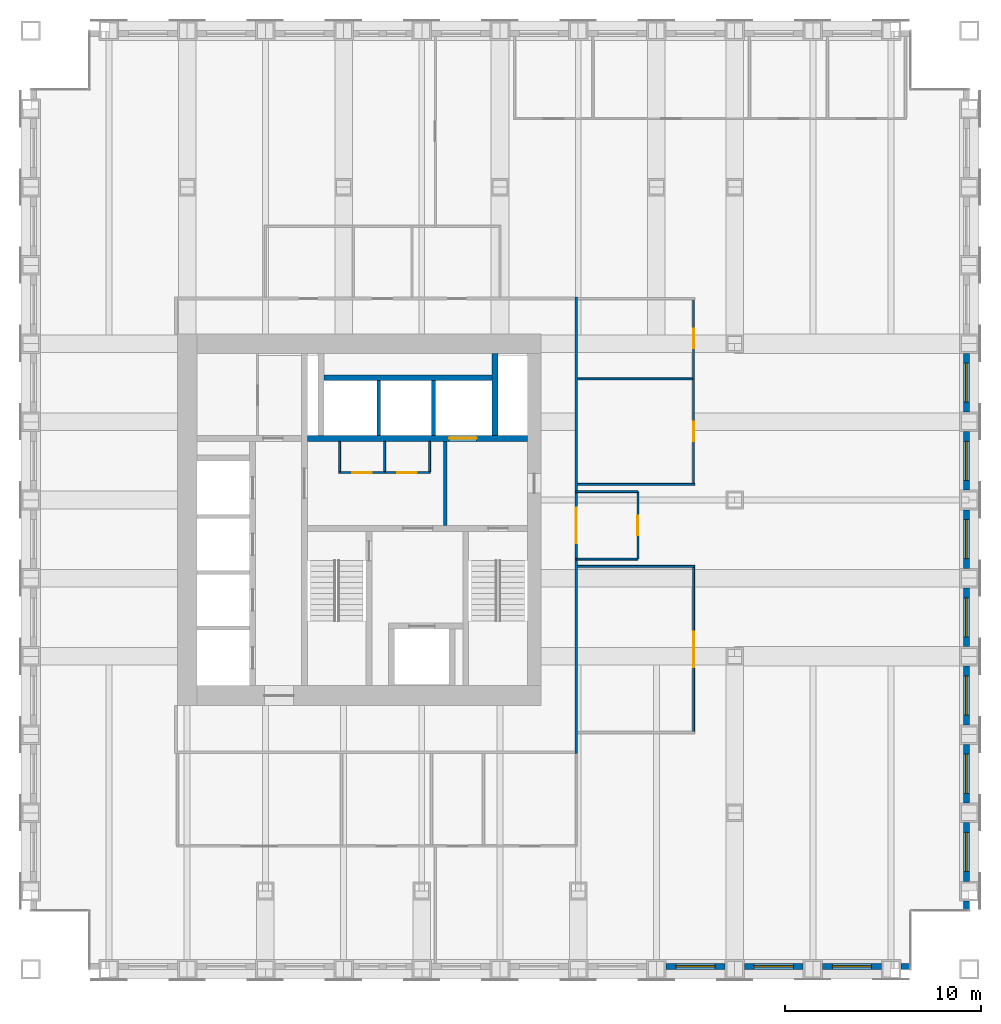
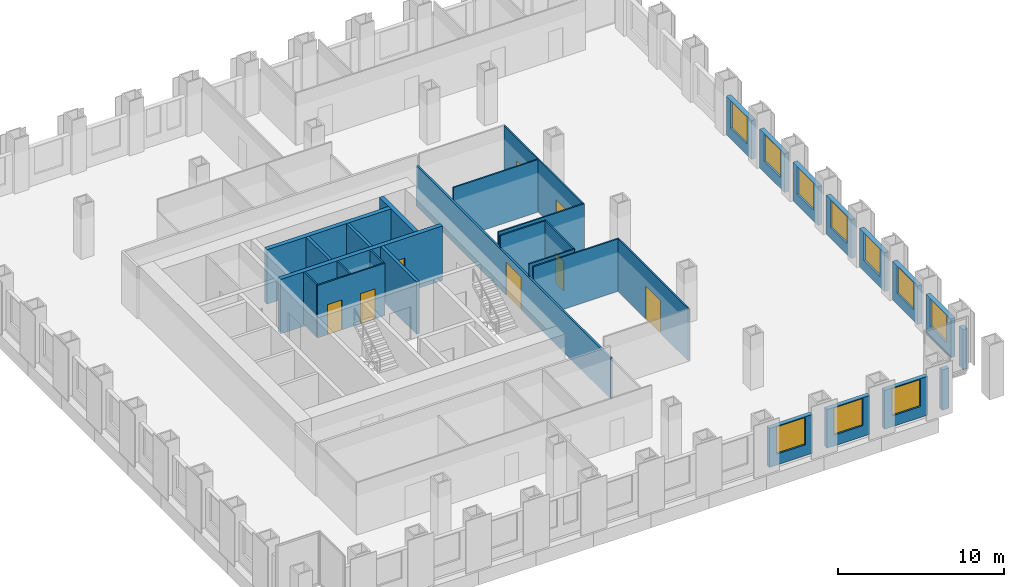
# One storey, part 12 of 15: 31 walls, 10 windows, 8 doors, 18 openings.
"""IFC4 building model written with IfcOpenShell, lengths in metres."""

from ifc_helpers import new_model, si_unit, direction, frame, frame_2d, origin, place, context, subcontext, project, spatial, rectangle, extrude, material, layer, layer_set, type_object, element, fill, save


model = new_model("IFC4")

# Units and contexts
model_context = context("Model", 3, precision=1e-05, world=origin(), true_north=direction((0.0, 1.0)))
body_context = subcontext(model_context, "Body", "Model", "MODEL_VIEW")
ifc_project = project(units=[si_unit("LENGTHUNIT", "METRE"), si_unit("AREAUNIT", "SQUARE_METRE"), si_unit("VOLUMEUNIT", "CUBIC_METRE"), si_unit("PLANEANGLEUNIT", "RADIAN"), si_unit("MASSUNIT", "GRAM", prefix="KILO")], contexts=[model_context])

# Site, building, storey
site_placement = place(None, origin())
site = spatial("IfcSite", under=ifc_project, at=site_placement, CompositionType="ELEMENT")
building_placement = place(site_placement, origin())
building = spatial("IfcBuilding", under=site, at=building_placement, Name="Rimbunsela Tower", CompositionType="ELEMENT")
storey_placement = place(building_placement, frame((0.0, 0.0, 117.39990234375)))
storey = spatial("IfcBuildingStorey", under=building, at=storey_placement, Name="L28", CompositionType="ELEMENT", Elevation=117.39990234375)

# Wall, opening, door
ifc_material_1 = material(Name="Concrete fc' 80 MPa", Category="concrete")
ifc_layer_1 = layer(ifc_material_1, 0.300048828125)
ifc_layer_set_1 = layer_set([ifc_layer_1], Name="Core internal wall 300")
wall_type_1 = type_object("IfcWallType", Name="Core internal wall 300", PredefinedType="SHEAR", material=ifc_layer_set_1)
wall_1_placement = place(storey_placement, frame((24.14990234375, 31.14990234375, -0.14990234375), z_axis=(0.0, 0.0, 1.0), x_axis=(1.0, 0.0, 0.0)))
wall_1 = element("IfcWall", 1, at=wall_1_placement, inside=storey, type_object=wall_type_1, Name="Lift shaft front north", PredefinedType="SHEAR", context=body_context, shape_type="SweptSolid", body=[
    extrude(rectangle(XDim=11.25, YDim=0.300048828125, at=frame_2d((5.625, 0.0))), origin(), (0.0, 0.0, 1.0), 4.0),
])
opening_1_placement = place(wall_1_placement, frame((7.25, 0.0, 0.14990234375)))
opening_1 = element("IfcOpeningElement", 2, at=opening_1_placement, cuts=wall_1, Name="Opening LD3", PredefinedType="OPENING", context=body_context, shape_type="SweptSolid", body=[
    extrude(rectangle(XDim=1.39990234375, YDim=2.39990234375, at=frame_2d((0.699951171875, 1.199951171875))), frame((0.0, 0.159912109375, 0.0), z_axis=(0.0, -1.0, 0.0), x_axis=(1.0, 0.0, 0.0)), (0.0, 0.0, 1.0), 0.320068359375),
])
ifc_material_2 = material(Name="Steel door, fire rated", Category="steel")
door_type_1 = type_object("IfcDoorType", Name="Lift landing door 1400", OperationType="DOUBLE_DOOR_SLIDING", PredefinedType="DOOR", material=ifc_material_2)
door_1_placement = place(opening_1_placement, origin())
door_1 = element("IfcDoor", 3, at=door_1_placement, inside=storey, type_object=door_type_1, Name="Lift landing door FL2", OperationType="DOUBLE_DOOR_SLIDING", OverallHeight=2.39990234375, OverallWidth=1.39990234375, PredefinedType="DOOR", context=body_context, shape_type="SweptSolid", body=[
    extrude(rectangle(XDim=1.39990234375, YDim=2.39990234375, at=frame_2d((0.699951171875, 1.199951171875))), frame((0.0, 0.02490234375, 0.0), z_axis=(0.0, -1.0, 0.0), x_axis=(1.0, 0.0, 0.0)), (0.0, 0.0, 1.0), 0.050048828125),
])
fill(opening_1, door_1)

# Walls
wall_2_placement = place(storey_placement, frame((33.75, 31.300048828125, -0.14990234375), z_axis=(0.0, 0.0, 1.0), x_axis=(0.0, 1.0, 0.0)))
element("IfcWall", 4, at=wall_2_placement, inside=storey, type_object=wall_type_1, Name="Riser wall", PredefinedType="SHEAR", context=body_context, shape_type="SweptSolid", body=[
    extrude(rectangle(XDim=4.199951171875, YDim=0.300048828125, at=frame_2d((2.10009765625, 0.0))), origin(), (0.0, 0.0, 1.0), 4.0),
])
wall_3_placement = place(storey_placement, frame((25.0, 34.25, -0.14990234375), z_axis=(0.0, 0.0, 1.0), x_axis=(1.0, 0.0, 0.0)))
element("IfcWall", 5, at=wall_3_placement, inside=storey, type_object=wall_type_1, Name="Lift shaft rear north", PredefinedType="SHEAR", context=body_context, shape_type="SweptSolid", body=[
    extrude(rectangle(XDim=8.60009765625, YDim=0.300048828125, at=frame_2d((4.300048828125, 0.0))), origin(), (0.0, 0.0, 1.0), 4.0),
])

# Wall, openings, doors
ifc_material_3 = material(Name="Concrete blockwork", Category="masonry")
ifc_layer_2 = layer(ifc_material_3, 0.10009765625)
ifc_layer_set_2 = layer_set([ifc_layer_2], Name="Core room partition 100")
wall_type_2 = type_object("IfcWallType", Name="Core room partition 100", PredefinedType="PARTITIONING", material=ifc_layer_set_2)
wall_4_placement = place(storey_placement, frame((25.75, 29.39990234375, 0.0), z_axis=(0.0, 0.0, 1.0), x_axis=(1.0, 0.0, 0.0)))
wall_4 = element("IfcWall", 6, at=wall_4_placement, inside=storey, type_object=wall_type_2, Name="Lobby room wall", PredefinedType="PARTITIONING", context=body_context, shape_type="SweptSolid", body=[
    extrude(rectangle(XDim=4.699951171875, YDim=0.10009765625, at=frame_2d((2.35009765625, 0.0))), origin(), (0.0, 0.0, 1.0), 3.85009765625),
])
opening_2_placement = place(wall_4_placement, frame((0.699951171875, 0.0, 0.0)))
opening_2 = element("IfcOpeningElement", 7, at=opening_2_placement, cuts=wall_4, Name="Opening D19", PredefinedType="OPENING", context=body_context, shape_type="SweptSolid", body=[
    extrude(rectangle(XDim=1.0, YDim=2.199951171875, at=frame_2d((0.5, 1.10009765625))), frame((0.0, 0.06005859375, 0.0), z_axis=(0.0, -1.0, 0.0), x_axis=(1.0, 0.0, 0.0)), (0.0, 0.0, 1.0), 0.1201171875),
])
opening_3_placement = place(wall_4_placement, frame((3.0, 0.0, 0.0)))
opening_3 = element("IfcOpeningElement", 8, at=opening_3_placement, cuts=wall_4, Name="Opening D19", PredefinedType="OPENING", context=body_context, shape_type="SweptSolid", body=[
    extrude(rectangle(XDim=1.0, YDim=2.199951171875, at=frame_2d((0.5, 1.10009765625))), frame((0.0, 0.06005859375, 0.0), z_axis=(0.0, -1.0, 0.0), x_axis=(1.0, 0.0, 0.0)), (0.0, 0.0, 1.0), 0.1201171875),
])
ifc_material_4 = material(Name="Steel door, fire rated", Category="steel")
door_type_2 = type_object("IfcDoorType", Name="Service door 1000 fire rated", OperationType="SINGLE_SWING_LEFT", PredefinedType="DOOR", material=ifc_material_4)
door_2_placement = place(opening_2_placement, origin())
door_2 = element("IfcDoor", 9, at=door_2_placement, inside=storey, type_object=door_type_2, Name="Facilities store door", OperationType="SINGLE_SWING_LEFT", OverallHeight=2.199951171875, OverallWidth=1.0, PredefinedType="DOOR", context=body_context, shape_type="SweptSolid", body=[
    extrude(rectangle(XDim=1.0, YDim=2.199951171875, at=frame_2d((0.5, 1.10009765625))), frame((0.0, 0.02490234375, 0.0), z_axis=(0.0, -1.0, 0.0), x_axis=(1.0, 0.0, 0.0)), (0.0, 0.0, 1.0), 0.050048828125),
])
fill(opening_2, door_2)
door_3_placement = place(opening_3_placement, origin())
door_3 = element("IfcDoor", 10, at=door_3_placement, inside=storey, type_object=door_type_2, Name="IT room door", OperationType="SINGLE_SWING_LEFT", OverallHeight=2.199951171875, OverallWidth=1.0, PredefinedType="DOOR", context=body_context, shape_type="SweptSolid", body=[
    extrude(rectangle(XDim=1.0, YDim=2.199951171875, at=frame_2d((0.5, 1.10009765625))), frame((0.0, 0.02490234375, 0.0), z_axis=(0.0, -1.0, 0.0), x_axis=(1.0, 0.0, 0.0)), (0.0, 0.0, 1.0), 0.050048828125),
])
fill(opening_3, door_3)

# Walls
for number, where, z_axis, x_axis, name in (
    (11, (25.800048828125, 29.449951171875, 0.0), (0.0, 0.0, 1.0), (0.0, 1.0, 0.0), "Lobby room wall"),
    (12, (30.39990234375, 29.449951171875, 0.0), (0.0, 0.0, 1.0), (0.0, 1.0, 0.0), "Lobby room wall"),
    (13, (28.10009765625, 29.449951171875, 0.0), (0.0, 0.0, 1.0), (0.0, 1.0, 0.0), "Lobby room wall"),
):
    element("IfcWall", number, at=place(storey_placement, frame(where, z_axis=z_axis, x_axis=x_axis)), inside=storey, type_object=wall_type_2, Name=name, PredefinedType="PARTITIONING", context=body_context, shape_type="SweptSolid", body=[
        extrude(rectangle(XDim=1.550048828125, YDim=0.10009765625, at=frame_2d((0.77490234375, 0.0))), origin(), (0.0, 0.0, 1.0), 3.85009765625),
    ])
ifc_material_5 = material(Name="Concrete blockwork", Category="masonry")
ifc_layer_3 = layer(ifc_material_5, 0.199951171875)
ifc_layer_set_3 = layer_set([ifc_layer_3], Name="Lift shaft wall 200")
wall_type_3 = type_object("IfcWallType", Name="Lift shaft wall 200", PredefinedType="SOLIDWALL", material=ifc_layer_set_3)
for number, where, z_axis, x_axis, name in (
    (14, (27.800048828125, 31.300048828125, -0.14990234375), (0.0, 0.0, 1.0), (0.0, 1.0, 0.0), "Lift shaft separation"),
    (15, (30.60009765625, 31.300048828125, -0.14990234375), (0.0, 0.0, 1.0), (0.0, 1.0, 0.0), "Lift shaft separation"),
):
    element("IfcWall", number, at=place(storey_placement, frame(where, z_axis=z_axis, x_axis=x_axis)), inside=storey, type_object=wall_type_3, Name=name, PredefinedType="SOLIDWALL", context=body_context, shape_type="SweptSolid", body=[
        extrude(rectangle(XDim=2.800048828125, YDim=0.199951171875, at=frame_2d((1.39990234375, 0.0))), origin(), (0.0, 0.0, 1.0), 4.0),
    ])
wall_5_placement = place(storey_placement, frame((31.199951171875, 26.699951171875, 0.0), z_axis=(0.0, 0.0, 1.0), x_axis=(0.0, 1.0, 0.0)))
element("IfcWall", 16, at=wall_5_placement, inside=storey, type_object=wall_type_3, Name="Firefighting lobby 2 wall", PredefinedType="SOLIDWALL", context=body_context, shape_type="SweptSolid", body=[
    extrude(rectangle(XDim=4.300048828125, YDim=0.199951171875, at=frame_2d((2.14990234375, 0.0))), origin(), (0.0, 0.0, 1.0), 3.85009765625),
])
ifc_material_6 = material(Name="Gypsum board on steel studs", Category="steel")
ifc_layer_4 = layer(ifc_material_6, 0.10009765625)
ifc_layer_set_4 = layer_set([ifc_layer_4], Name="Office partition 100")
wall_type_4 = type_object("IfcWallType", Name="Office partition 100", PredefinedType="PARTITIONING", material=ifc_layer_set_4)
for number, where, z_axis, x_axis, name in (
    (17, (37.97509765625, 24.60009765625, 0.0), (0.0, 0.0, 1.0), (1.0, 0.0, 0.0), "Office partition"),
    (18, (37.97509765625, 28.800048828125, 0.0), (0.0, 0.0, 1.0), (1.0, 0.0, 0.0), "Office partition"),
):
    element("IfcWall", number, at=place(storey_placement, frame(where, z_axis=z_axis, x_axis=x_axis)), inside=storey, type_object=wall_type_4, Name=name, PredefinedType="PARTITIONING", context=body_context, shape_type="SweptSolid", body=[
        extrude(rectangle(XDim=5.974853515625, YDim=0.10009765625, at=frame_2d((2.9873046875, 0.0))), origin(), (0.0, 0.0, 1.0), 3.85009765625),
    ])
wall_6_placement = place(storey_placement, frame((37.97509765625, 34.199951171875, 0.0), z_axis=(0.0, 0.0, 1.0), x_axis=(1.0, 0.0, 0.0)))
element("IfcWall", 19, at=wall_6_placement, inside=storey, type_object=wall_type_4, Name="Office partition", PredefinedType="PARTITIONING", context=body_context, shape_type="SweptSolid", body=[
    extrude(rectangle(XDim=5.875, YDim=0.10009765625, at=frame_2d((2.9375, 0.0))), origin(), (0.0, 0.0, 1.0), 3.85009765625),
])

# Wall, opening, door
wall_7_placement = place(storey_placement, frame((43.89990234375, 16.14990234375, 0.0), z_axis=(0.0, 0.0, 1.0), x_axis=(0.0, 1.0, 0.0)))
wall_7 = element("IfcWall", 20, at=wall_7_placement, inside=storey, type_object=wall_type_4, Name="Office partition", PredefinedType="PARTITIONING", context=body_context, shape_type="SweptSolid", body=[
    extrude(rectangle(XDim=8.400146484375, YDim=0.10009765625, at=frame_2d((4.2001953125, 0.0))), origin(), (0.0, 0.0, 1.0), 3.85009765625),
])
opening_4_placement = place(wall_7_placement, frame((3.300048828125, 0.0, 0.0)))
opening_4 = element("IfcOpeningElement", 21, at=opening_4_placement, cuts=wall_7, Name="Opening D18", PredefinedType="OPENING", context=body_context, shape_type="SweptSolid", body=[
    extrude(rectangle(XDim=1.800048828125, YDim=2.39990234375, at=frame_2d((0.89990234375, 1.199951171875))), frame((0.0, 0.06005859375, 0.0), z_axis=(0.0, -1.0, 0.0), x_axis=(1.0, 0.0, 0.0)), (0.0, 0.0, 1.0), 0.1201171875),
])
ifc_material_7 = material(Name="Glazed aluminium door", Category="aluminium")
door_type_3 = type_object("IfcDoorType", Name="Boardroom door 1800 glazed", OperationType="DOUBLE_DOOR_DOUBLE_SWING", PredefinedType="DOOR", material=ifc_material_7)
door_4_placement = place(opening_4_placement, origin())
door_4 = element("IfcDoor", 22, at=door_4_placement, inside=storey, type_object=door_type_3, Name="Boardroom door", OperationType="DOUBLE_DOOR_DOUBLE_SWING", OverallHeight=2.39990234375, OverallWidth=1.800048828125, PredefinedType="DOOR", context=body_context, shape_type="SweptSolid", body=[
    extrude(rectangle(XDim=1.800048828125, YDim=2.39990234375, at=frame_2d((0.89990234375, 1.199951171875))), frame((0.0, 0.02490234375, 0.0), z_axis=(0.0, -1.0, 0.0), x_axis=(1.0, 0.0, 0.0)), (0.0, 0.0, 1.0), 0.050048828125),
])
fill(opening_4, door_4)

# Wall, openings, doors
wall_8_placement = place(storey_placement, frame((43.89990234375, 28.85009765625, 0.0), z_axis=(0.0, 0.0, 1.0), x_axis=(0.0, 1.0, 0.0)))
wall_8 = element("IfcWall", 23, at=wall_8_placement, inside=storey, type_object=wall_type_4, Name="Office partition", PredefinedType="PARTITIONING", context=body_context, shape_type="SweptSolid", body=[
    extrude(rectangle(XDim=9.39990234375, YDim=0.10009765625, at=frame_2d((4.699951171875, 0.0))), origin(), (0.0, 0.0, 1.0), 3.85009765625),
])
opening_5_placement = place(wall_8_placement, frame((2.14990234375, 0.0, 0.0)))
opening_5 = element("IfcOpeningElement", 24, at=opening_5_placement, cuts=wall_8, Name="Opening D17", PredefinedType="OPENING", context=body_context, shape_type="SweptSolid", body=[
    extrude(rectangle(XDim=1.0, YDim=2.199951171875, at=frame_2d((0.5, 1.10009765625))), frame((0.0, 0.06005859375, 0.0), z_axis=(0.0, -1.0, 0.0), x_axis=(1.0, 0.0, 0.0)), (0.0, 0.0, 1.0), 0.1201171875),
])
opening_6_placement = place(wall_8_placement, frame((6.89990234375, 0.0, 0.0)))
opening_6 = element("IfcOpeningElement", 25, at=opening_6_placement, cuts=wall_8, Name="Opening D16", PredefinedType="OPENING", context=body_context, shape_type="SweptSolid", body=[
    extrude(rectangle(XDim=1.0, YDim=2.199951171875, at=frame_2d((0.5, 1.10009765625))), frame((0.0, 0.06005859375, 0.0), z_axis=(0.0, -1.0, 0.0), x_axis=(1.0, 0.0, 0.0)), (0.0, 0.0, 1.0), 0.1201171875),
])
ifc_material_8 = material(Name="Glazed aluminium door", Category="aluminium")
door_type_4 = type_object("IfcDoorType", Name="Meeting room door 1000 glazed", OperationType="SINGLE_SWING_RIGHT", PredefinedType="DOOR", material=ifc_material_8)
door_5_placement = place(opening_5_placement, origin())
door_5 = element("IfcDoor", 26, at=door_5_placement, inside=storey, type_object=door_type_4, Name="Meeting room door", OperationType="SINGLE_SWING_RIGHT", OverallHeight=2.199951171875, OverallWidth=1.0, PredefinedType="DOOR", context=body_context, shape_type="SweptSolid", body=[
    extrude(rectangle(XDim=1.0, YDim=2.199951171875, at=frame_2d((0.5, 1.10009765625))), frame((0.0, 0.02490234375, 0.0), z_axis=(0.0, -1.0, 0.0), x_axis=(1.0, 0.0, 0.0)), (0.0, 0.0, 1.0), 0.050048828125),
])
fill(opening_5, door_5)
ifc_material_9 = material(Name="Timber door", Category="wood")
door_type_5 = type_object("IfcDoorType", Name="Office door 1000", OperationType="SINGLE_SWING_LEFT", PredefinedType="DOOR", material=ifc_material_9)
door_6_placement = place(opening_6_placement, origin())
door_6 = element("IfcDoor", 27, at=door_6_placement, inside=storey, type_object=door_type_5, Name="Office door", OperationType="SINGLE_SWING_LEFT", OverallHeight=2.199951171875, OverallWidth=1.0, PredefinedType="DOOR", context=body_context, shape_type="SweptSolid", body=[
    extrude(rectangle(XDim=1.0, YDim=2.199951171875, at=frame_2d((0.5, 1.10009765625))), frame((0.0, 0.02490234375, 0.0), z_axis=(0.0, -1.0, 0.0), x_axis=(1.0, 0.0, 0.0)), (0.0, 0.0, 1.0), 0.050048828125),
])
fill(opening_6, door_6)

# Wall
wall_9_placement = place(storey_placement, frame((37.89990234375, 24.97509765625, 0.0), z_axis=(0.0, 0.0, 1.0), x_axis=(1.0, 0.0, 0.0)))
element("IfcWall", 28, at=wall_9_placement, inside=storey, type_object=wall_type_4, Name="Office partition", PredefinedType="PARTITIONING", context=body_context, shape_type="SweptSolid", body=[
    extrude(rectangle(XDim=3.150146484375, YDim=0.10009765625, at=frame_2d((1.5751953125, 0.0))), origin(), (0.0, 0.0, 1.0), 3.85009765625),
])

# Wall, opening, door
wall_10_placement = place(storey_placement, frame((41.050048828125, 24.97509765625, 0.0), z_axis=(0.0, 0.0, 1.0), x_axis=(0.0, 1.0, 0.0)))
wall_10 = element("IfcWall", 29, at=wall_10_placement, inside=storey, type_object=wall_type_4, Name="Office partition", PredefinedType="PARTITIONING", context=body_context, shape_type="SweptSolid", body=[
    extrude(rectangle(XDim=3.449951171875, YDim=0.10009765625, at=frame_2d((1.72509765625, 0.0))), origin(), (0.0, 0.0, 1.0), 3.85009765625),
])
opening_7_placement = place(wall_10_placement, frame((1.22509765625, 0.0, 0.0)))
opening_7 = element("IfcOpeningElement", 30, at=opening_7_placement, cuts=wall_10, Name="Opening D17", PredefinedType="OPENING", context=body_context, shape_type="SweptSolid", body=[
    extrude(rectangle(XDim=1.0, YDim=2.199951171875, at=frame_2d((0.5, 1.10009765625))), frame((0.0, 0.06005859375, 0.0), z_axis=(0.0, -1.0, 0.0), x_axis=(1.0, 0.0, 0.0)), (0.0, 0.0, 1.0), 0.1201171875),
])
door_7_placement = place(opening_7_placement, origin())
door_7 = element("IfcDoor", 31, at=door_7_placement, inside=storey, type_object=door_type_4, Name="Reception door", OperationType="SINGLE_SWING_RIGHT", OverallHeight=2.199951171875, OverallWidth=1.0, PredefinedType="DOOR", context=body_context, shape_type="SweptSolid", body=[
    extrude(rectangle(XDim=1.0, YDim=2.199951171875, at=frame_2d((0.5, 1.10009765625))), frame((0.0, 0.02490234375, 0.0), z_axis=(0.0, -1.0, 0.0), x_axis=(1.0, 0.0, 0.0)), (0.0, 0.0, 1.0), 0.050048828125),
])
fill(opening_7, door_7)

# Wall
wall_11_placement = place(storey_placement, frame((41.050048828125, 28.425048828125, 0.0), z_axis=(0.0, 0.0, 1.0), x_axis=(-1.0, 0.0, 0.0)))
element("IfcWall", 32, at=wall_11_placement, inside=storey, type_object=wall_type_4, Name="Office partition", PredefinedType="PARTITIONING", context=body_context, shape_type="SweptSolid", body=[
    extrude(rectangle(XDim=3.150146484375, YDim=0.10009765625, at=frame_2d((1.5751953125, 0.0))), origin(), (0.0, 0.0, 1.0), 3.85009765625),
])

# Wall, opening, window
ifc_material_10 = material(Name="Precast concrete fc' 35 MPa", Category="concrete")
ifc_layer_5 = layer(ifc_material_10, 0.300048828125)
ifc_layer_set_5 = layer_set([ifc_layer_5], Name="Precast concrete fc' 35 MPa")
wall_type_5 = type_object("IfcWallType", Name="Precast facade panel 300", PredefinedType="ELEMENTEDWALL", material=ifc_layer_set_5)
wall_12_placement = place(storey_placement, frame((42.5, 4.14990234375, 0.0), z_axis=(0.0, 0.0, 1.0), x_axis=(1.0, 0.0, 0.0)))
wall_12 = element("IfcWall", 33, at=wall_12_placement, inside=storey, type_object=wall_type_5, Name="Facade panel S L28", PredefinedType="ELEMENTEDWALL", context=body_context, shape_type="SweptSolid", body=[
    extrude(rectangle(XDim=3.0, YDim=0.300048828125, at=frame_2d((1.5, 0.0))), origin(), (0.0, 0.0, 1.0), 2.85009765625),
])
opening_8_placement = place(wall_12_placement, frame((0.5, 0.0, 0.800048828125)))
opening_8 = element("IfcOpeningElement", 34, at=opening_8_placement, cuts=wall_12, Name="Opening W1", PredefinedType="OPENING", context=body_context, shape_type="SweptSolid", body=[
    extrude(rectangle(XDim=2.0, YDim=2.0, at=frame_2d((1.0, 1.0))), frame((0.0, 0.159912109375, 0.0), z_axis=(0.0, -1.0, 0.0), x_axis=(1.0, 0.0, 0.0)), (0.0, 0.0, 1.0), 0.320068359375),
])
ifc_material_11 = material(Name="Clear glass in aluminium frame", Category="aluminium")
window_type = type_object("IfcWindowType", Name="Window W1 2000x2000", PartitioningType="DOUBLE_PANEL_VERTICAL", PredefinedType="WINDOW", material=ifc_material_11)
window_1_placement = place(opening_8_placement, origin())
window_1 = element("IfcWindow", 35, at=window_1_placement, inside=storey, type_object=window_type, Name="Window L28", OverallHeight=2.0, OverallWidth=2.0, PartitioningType="SINGLE_PANEL", PredefinedType="WINDOW", context=body_context, shape_type="SweptSolid", body=[
    extrude(rectangle(XDim=2.0, YDim=2.0, at=frame_2d((1.0, 1.0))), frame((0.0, 0.030029296875, 0.0), z_axis=(0.0, -1.0, 0.0), x_axis=(1.0, 0.0, 0.0)), (0.0, 0.0, 1.0), 0.06005859375),
])
fill(opening_8, window_1)

wall_13_placement = place(storey_placement, frame((46.5, 4.14990234375, 0.0), z_axis=(0.0, 0.0, 1.0), x_axis=(1.0, 0.0, 0.0)))
wall_13 = element("IfcWall", 36, at=wall_13_placement, inside=storey, type_object=wall_type_5, Name="Facade panel S L28", PredefinedType="ELEMENTEDWALL", context=body_context, shape_type="SweptSolid", body=[
    extrude(rectangle(XDim=3.0, YDim=0.300048828125, at=frame_2d((1.5, 0.0))), origin(), (0.0, 0.0, 1.0), 2.85009765625),
])
opening_9_placement = place(wall_13_placement, frame((0.5, 0.0, 0.800048828125)))
opening_9 = element("IfcOpeningElement", 37, at=opening_9_placement, cuts=wall_13, Name="Opening W1", PredefinedType="OPENING", context=body_context, shape_type="SweptSolid", body=[
    extrude(rectangle(XDim=2.0, YDim=2.0, at=frame_2d((1.0, 1.0))), frame((0.0, 0.159912109375, 0.0), z_axis=(0.0, -1.0, 0.0), x_axis=(1.0, 0.0, 0.0)), (0.0, 0.0, 1.0), 0.320068359375),
])
window_2_placement = place(opening_9_placement, origin())
window_2 = element("IfcWindow", 38, at=window_2_placement, inside=storey, type_object=window_type, Name="Window L28", OverallHeight=2.0, OverallWidth=2.0, PartitioningType="SINGLE_PANEL", PredefinedType="WINDOW", context=body_context, shape_type="SweptSolid", body=[
    extrude(rectangle(XDim=2.0, YDim=2.0, at=frame_2d((1.0, 1.0))), frame((0.0, 0.030029296875, 0.0), z_axis=(0.0, -1.0, 0.0), x_axis=(1.0, 0.0, 0.0)), (0.0, 0.0, 1.0), 0.06005859375),
])
fill(opening_9, window_2)

wall_14_placement = place(storey_placement, frame((50.5, 4.14990234375, 0.0), z_axis=(0.0, 0.0, 1.0), x_axis=(1.0, 0.0, 0.0)))
wall_14 = element("IfcWall", 39, at=wall_14_placement, inside=storey, type_object=wall_type_5, Name="Facade panel S L28", PredefinedType="ELEMENTEDWALL", context=body_context, shape_type="SweptSolid", body=[
    extrude(rectangle(XDim=3.0, YDim=0.300048828125, at=frame_2d((1.5, 0.0))), origin(), (0.0, 0.0, 1.0), 2.85009765625),
])
opening_10_placement = place(wall_14_placement, frame((0.5, 0.0, 0.800048828125)))
opening_10 = element("IfcOpeningElement", 40, at=opening_10_placement, cuts=wall_14, Name="Opening W1", PredefinedType="OPENING", context=body_context, shape_type="SweptSolid", body=[
    extrude(rectangle(XDim=2.0, YDim=2.0, at=frame_2d((1.0, 1.0))), frame((0.0, 0.159912109375, 0.0), z_axis=(0.0, -1.0, 0.0), x_axis=(1.0, 0.0, 0.0)), (0.0, 0.0, 1.0), 0.320068359375),
])
window_3_placement = place(opening_10_placement, origin())
window_3 = element("IfcWindow", 41, at=window_3_placement, inside=storey, type_object=window_type, Name="Window L28", OverallHeight=2.0, OverallWidth=2.0, PartitioningType="SINGLE_PANEL", PredefinedType="WINDOW", context=body_context, shape_type="SweptSolid", body=[
    extrude(rectangle(XDim=2.0, YDim=2.0, at=frame_2d((1.0, 1.0))), frame((0.0, 0.030029296875, 0.0), z_axis=(0.0, -1.0, 0.0), x_axis=(1.0, 0.0, 0.0)), (0.0, 0.0, 1.0), 0.06005859375),
])
fill(opening_10, window_3)

# Walls
for number, where, z_axis, x_axis, name in (
    (42, (54.5, 4.14990234375, 0.0), (0.0, 0.0, 1.0), (1.0, 0.0, 0.0), "Facade panel S L28"),
    (43, (57.85009765625, 7.030029296875, 0.0), (0.0, 0.0, 1.0), (0.0, 1.0, 0.0), "Facade panel E L28"),
):
    element("IfcWall", number, at=place(storey_placement, frame(where, z_axis=z_axis, x_axis=x_axis)), inside=storey, type_object=wall_type_5, Name=name, PredefinedType="ELEMENTEDWALL", context=body_context, shape_type="SweptSolid", body=[
        extrude(rectangle(XDim=0.469970703125, YDim=0.300048828125, at=frame_2d((0.23486328125, 0.0))), origin(), (0.0, 0.0, 1.0), 2.9501953125),
    ])

# Wall, opening, window
wall_15_placement = place(storey_placement, frame((57.85009765625, 8.5, 0.0), z_axis=(0.0, 0.0, 1.0), x_axis=(0.0, 1.0, 0.0)))
wall_15 = element("IfcWall", 44, at=wall_15_placement, inside=storey, type_object=wall_type_5, Name="Facade panel E L28", PredefinedType="ELEMENTEDWALL", context=body_context, shape_type="SweptSolid", body=[
    extrude(rectangle(XDim=3.0, YDim=0.300048828125, at=frame_2d((1.5, 0.0))), origin(), (0.0, 0.0, 1.0), 2.85009765625),
])
opening_11_placement = place(wall_15_placement, frame((0.5, 0.0, 0.800048828125)))
opening_11 = element("IfcOpeningElement", 45, at=opening_11_placement, cuts=wall_15, Name="Opening W1", PredefinedType="OPENING", context=body_context, shape_type="SweptSolid", body=[
    extrude(rectangle(XDim=2.0, YDim=2.0, at=frame_2d((1.0, 1.0))), frame((0.0, 0.159912109375, 0.0), z_axis=(0.0, -1.0, 0.0), x_axis=(1.0, 0.0, 0.0)), (0.0, 0.0, 1.0), 0.320068359375),
])
window_4_placement = place(opening_11_placement, origin())
window_4 = element("IfcWindow", 46, at=window_4_placement, inside=storey, type_object=window_type, Name="Window L28", OverallHeight=2.0, OverallWidth=2.0, PartitioningType="SINGLE_PANEL", PredefinedType="WINDOW", context=body_context, shape_type="SweptSolid", body=[
    extrude(rectangle(XDim=2.0, YDim=2.0, at=frame_2d((1.0, 1.0))), frame((0.0, 0.030029296875, 0.0), z_axis=(0.0, -1.0, 0.0), x_axis=(1.0, 0.0, 0.0)), (0.0, 0.0, 1.0), 0.06005859375),
])
fill(opening_11, window_4)

wall_16_placement = place(storey_placement, frame((57.85009765625, 12.5, 0.0), z_axis=(0.0, 0.0, 1.0), x_axis=(0.0, 1.0, 0.0)))
wall_16 = element("IfcWall", 47, at=wall_16_placement, inside=storey, type_object=wall_type_5, Name="Facade panel E L28", PredefinedType="ELEMENTEDWALL", context=body_context, shape_type="SweptSolid", body=[
    extrude(rectangle(XDim=3.0, YDim=0.300048828125, at=frame_2d((1.5, 0.0))), origin(), (0.0, 0.0, 1.0), 2.85009765625),
])
opening_12_placement = place(wall_16_placement, frame((0.5, 0.0, 0.800048828125)))
opening_12 = element("IfcOpeningElement", 48, at=opening_12_placement, cuts=wall_16, Name="Opening W1", PredefinedType="OPENING", context=body_context, shape_type="SweptSolid", body=[
    extrude(rectangle(XDim=2.0, YDim=2.0, at=frame_2d((1.0, 1.0))), frame((0.0, 0.159912109375, 0.0), z_axis=(0.0, -1.0, 0.0), x_axis=(1.0, 0.0, 0.0)), (0.0, 0.0, 1.0), 0.320068359375),
])
window_5_placement = place(opening_12_placement, origin())
window_5 = element("IfcWindow", 49, at=window_5_placement, inside=storey, type_object=window_type, Name="Window L28", OverallHeight=2.0, OverallWidth=2.0, PartitioningType="SINGLE_PANEL", PredefinedType="WINDOW", context=body_context, shape_type="SweptSolid", body=[
    extrude(rectangle(XDim=2.0, YDim=2.0, at=frame_2d((1.0, 1.0))), frame((0.0, 0.030029296875, 0.0), z_axis=(0.0, -1.0, 0.0), x_axis=(1.0, 0.0, 0.0)), (0.0, 0.0, 1.0), 0.06005859375),
])
fill(opening_12, window_5)

wall_17_placement = place(storey_placement, frame((57.85009765625, 16.5, 0.0), z_axis=(0.0, 0.0, 1.0), x_axis=(0.0, 1.0, 0.0)))
wall_17 = element("IfcWall", 50, at=wall_17_placement, inside=storey, type_object=wall_type_5, Name="Facade panel E L28", PredefinedType="ELEMENTEDWALL", context=body_context, shape_type="SweptSolid", body=[
    extrude(rectangle(XDim=3.0, YDim=0.300048828125, at=frame_2d((1.5, 0.0))), origin(), (0.0, 0.0, 1.0), 2.85009765625),
])
opening_13_placement = place(wall_17_placement, frame((0.5, 0.0, 0.800048828125)))
opening_13 = element("IfcOpeningElement", 51, at=opening_13_placement, cuts=wall_17, Name="Opening W1", PredefinedType="OPENING", context=body_context, shape_type="SweptSolid", body=[
    extrude(rectangle(XDim=2.0, YDim=2.0, at=frame_2d((1.0, 1.0))), frame((0.0, 0.159912109375, 0.0), z_axis=(0.0, -1.0, 0.0), x_axis=(1.0, 0.0, 0.0)), (0.0, 0.0, 1.0), 0.320068359375),
])
window_6_placement = place(opening_13_placement, origin())
window_6 = element("IfcWindow", 52, at=window_6_placement, inside=storey, type_object=window_type, Name="Window L28", OverallHeight=2.0, OverallWidth=2.0, PartitioningType="SINGLE_PANEL", PredefinedType="WINDOW", context=body_context, shape_type="SweptSolid", body=[
    extrude(rectangle(XDim=2.0, YDim=2.0, at=frame_2d((1.0, 1.0))), frame((0.0, 0.030029296875, 0.0), z_axis=(0.0, -1.0, 0.0), x_axis=(1.0, 0.0, 0.0)), (0.0, 0.0, 1.0), 0.06005859375),
])
fill(opening_13, window_6)

wall_18_placement = place(storey_placement, frame((57.85009765625, 20.5, 0.0), z_axis=(0.0, 0.0, 1.0), x_axis=(0.0, 1.0, 0.0)))
wall_18 = element("IfcWall", 53, at=wall_18_placement, inside=storey, type_object=wall_type_5, Name="Facade panel E L28", PredefinedType="ELEMENTEDWALL", context=body_context, shape_type="SweptSolid", body=[
    extrude(rectangle(XDim=3.0, YDim=0.300048828125, at=frame_2d((1.5, 0.0))), origin(), (0.0, 0.0, 1.0), 2.85009765625),
])
opening_14_placement = place(wall_18_placement, frame((0.5, 0.0, 0.800048828125)))
opening_14 = element("IfcOpeningElement", 54, at=opening_14_placement, cuts=wall_18, Name="Opening W1", PredefinedType="OPENING", context=body_context, shape_type="SweptSolid", body=[
    extrude(rectangle(XDim=2.0, YDim=2.0, at=frame_2d((1.0, 1.0))), frame((0.0, 0.159912109375, 0.0), z_axis=(0.0, -1.0, 0.0), x_axis=(1.0, 0.0, 0.0)), (0.0, 0.0, 1.0), 0.320068359375),
])
window_7_placement = place(opening_14_placement, origin())
window_7 = element("IfcWindow", 55, at=window_7_placement, inside=storey, type_object=window_type, Name="Window L28", OverallHeight=2.0, OverallWidth=2.0, PartitioningType="SINGLE_PANEL", PredefinedType="WINDOW", context=body_context, shape_type="SweptSolid", body=[
    extrude(rectangle(XDim=2.0, YDim=2.0, at=frame_2d((1.0, 1.0))), frame((0.0, 0.030029296875, 0.0), z_axis=(0.0, -1.0, 0.0), x_axis=(1.0, 0.0, 0.0)), (0.0, 0.0, 1.0), 0.06005859375),
])
fill(opening_14, window_7)

wall_19_placement = place(storey_placement, frame((57.85009765625, 24.5, 0.0), z_axis=(0.0, 0.0, 1.0), x_axis=(0.0, 1.0, 0.0)))
wall_19 = element("IfcWall", 56, at=wall_19_placement, inside=storey, type_object=wall_type_5, Name="Facade panel E L28", PredefinedType="ELEMENTEDWALL", context=body_context, shape_type="SweptSolid", body=[
    extrude(rectangle(XDim=3.0, YDim=0.300048828125, at=frame_2d((1.5, 0.0))), origin(), (0.0, 0.0, 1.0), 2.85009765625),
])
opening_15_placement = place(wall_19_placement, frame((0.5, 0.0, 0.800048828125)))
opening_15 = element("IfcOpeningElement", 57, at=opening_15_placement, cuts=wall_19, Name="Opening W1", PredefinedType="OPENING", context=body_context, shape_type="SweptSolid", body=[
    extrude(rectangle(XDim=2.0, YDim=2.0, at=frame_2d((1.0, 1.0))), frame((0.0, 0.159912109375, 0.0), z_axis=(0.0, -1.0, 0.0), x_axis=(1.0, 0.0, 0.0)), (0.0, 0.0, 1.0), 0.320068359375),
])
window_8_placement = place(opening_15_placement, origin())
window_8 = element("IfcWindow", 58, at=window_8_placement, inside=storey, type_object=window_type, Name="Window L28", OverallHeight=2.0, OverallWidth=2.0, PartitioningType="SINGLE_PANEL", PredefinedType="WINDOW", context=body_context, shape_type="SweptSolid", body=[
    extrude(rectangle(XDim=2.0, YDim=2.0, at=frame_2d((1.0, 1.0))), frame((0.0, 0.030029296875, 0.0), z_axis=(0.0, -1.0, 0.0), x_axis=(1.0, 0.0, 0.0)), (0.0, 0.0, 1.0), 0.06005859375),
])
fill(opening_15, window_8)

wall_20_placement = place(storey_placement, frame((57.85009765625, 28.5, 0.0), z_axis=(0.0, 0.0, 1.0), x_axis=(0.0, 1.0, 0.0)))
wall_20 = element("IfcWall", 59, at=wall_20_placement, inside=storey, type_object=wall_type_5, Name="Facade panel E L28", PredefinedType="ELEMENTEDWALL", context=body_context, shape_type="SweptSolid", body=[
    extrude(rectangle(XDim=3.0, YDim=0.300048828125, at=frame_2d((1.5, 0.0))), origin(), (0.0, 0.0, 1.0), 2.85009765625),
])
opening_16_placement = place(wall_20_placement, frame((0.5, 0.0, 0.800048828125)))
opening_16 = element("IfcOpeningElement", 60, at=opening_16_placement, cuts=wall_20, Name="Opening W1", PredefinedType="OPENING", context=body_context, shape_type="SweptSolid", body=[
    extrude(rectangle(XDim=2.0, YDim=2.0, at=frame_2d((1.0, 1.0))), frame((0.0, 0.159912109375, 0.0), z_axis=(0.0, -1.0, 0.0), x_axis=(1.0, 0.0, 0.0)), (0.0, 0.0, 1.0), 0.320068359375),
])
window_9_placement = place(opening_16_placement, origin())
window_9 = element("IfcWindow", 61, at=window_9_placement, inside=storey, type_object=window_type, Name="Window L28", OverallHeight=2.0, OverallWidth=2.0, PartitioningType="SINGLE_PANEL", PredefinedType="WINDOW", context=body_context, shape_type="SweptSolid", body=[
    extrude(rectangle(XDim=2.0, YDim=2.0, at=frame_2d((1.0, 1.0))), frame((0.0, 0.030029296875, 0.0), z_axis=(0.0, -1.0, 0.0), x_axis=(1.0, 0.0, 0.0)), (0.0, 0.0, 1.0), 0.06005859375),
])
fill(opening_16, window_9)

wall_21_placement = place(storey_placement, frame((57.85009765625, 32.5, 0.0), z_axis=(0.0, 0.0, 1.0), x_axis=(0.0, 1.0, 0.0)))
wall_21 = element("IfcWall", 62, at=wall_21_placement, inside=storey, type_object=wall_type_5, Name="Facade panel E L28", PredefinedType="ELEMENTEDWALL", context=body_context, shape_type="SweptSolid", body=[
    extrude(rectangle(XDim=3.0, YDim=0.300048828125, at=frame_2d((1.5, 0.0))), origin(), (0.0, 0.0, 1.0), 2.85009765625),
])
opening_17_placement = place(wall_21_placement, frame((0.5, 0.0, 0.800048828125)))
opening_17 = element("IfcOpeningElement", 63, at=opening_17_placement, cuts=wall_21, Name="Opening W1", PredefinedType="OPENING", context=body_context, shape_type="SweptSolid", body=[
    extrude(rectangle(XDim=2.0, YDim=2.0, at=frame_2d((1.0, 1.0))), frame((0.0, 0.159912109375, 0.0), z_axis=(0.0, -1.0, 0.0), x_axis=(1.0, 0.0, 0.0)), (0.0, 0.0, 1.0), 0.320068359375),
])
window_10_placement = place(opening_17_placement, origin())
window_10 = element("IfcWindow", 64, at=window_10_placement, inside=storey, type_object=window_type, Name="Window L28", OverallHeight=2.0, OverallWidth=2.0, PartitioningType="SINGLE_PANEL", PredefinedType="WINDOW", context=body_context, shape_type="SweptSolid", body=[
    extrude(rectangle(XDim=2.0, YDim=2.0, at=frame_2d((1.0, 1.0))), frame((0.0, 0.030029296875, 0.0), z_axis=(0.0, -1.0, 0.0), x_axis=(1.0, 0.0, 0.0)), (0.0, 0.0, 1.0), 0.06005859375),
])
fill(opening_17, window_10)

# Wall, opening, door
ifc_material_12 = material(Name="Fire-rated gypsum board on steel studs, EI 60", Category="steel")
ifc_layer_6 = layer(ifc_material_12, 0.14990234375)
ifc_layer_set_6 = layer_set([ifc_layer_6], Name="Rated corridor wall 150")
wall_type_6 = type_object("IfcWallType", Name="Rated corridor wall 150", PredefinedType="PARTITIONING", material=ifc_layer_set_6)
wall_22_placement = place(storey_placement, frame((37.89990234375, 15.02490234375, 0.0), z_axis=(0.0, 0.0, 1.0), x_axis=(0.0, 1.0, 0.0)))
wall_22 = element("IfcWall", 65, at=wall_22_placement, inside=storey, type_object=wall_type_6, Name="Corridor wall east", PredefinedType="PARTITIONING", context=body_context, shape_type="SweptSolid", body=[
    extrude(rectangle(XDim=23.35009765625, YDim=0.14990234375, at=frame_2d((11.675048828125, 0.0))), origin(), (0.0, 0.0, 1.0), 2.9501953125),
])
opening_18_placement = place(wall_22_placement, frame((10.77490234375, 0.0, 0.0)))
opening_18 = element("IfcOpeningElement", 66, at=opening_18_placement, cuts=wall_22, Name="Opening D09", PredefinedType="OPENING", context=body_context, shape_type="SweptSolid", body=[
    extrude(rectangle(XDim=1.800048828125, YDim=2.39990234375, at=frame_2d((0.89990234375, 1.199951171875))), frame((0.0, 0.0849609375, 0.0), z_axis=(0.0, -1.0, 0.0), x_axis=(1.0, 0.0, 0.0)), (0.0, 0.0, 1.0), 0.169921875),
])
ifc_material_13 = material(Name="Glazed aluminium door, fire rated", Category="aluminium")
door_type_6 = type_object("IfcDoorType", Name="Tenancy door 1800 glazed", OperationType="DOUBLE_DOOR_DOUBLE_SWING", PredefinedType="DOOR", material=ifc_material_13)
door_8_placement = place(opening_18_placement, origin())
door_8 = element("IfcDoor", 67, at=door_8_placement, inside=storey, type_object=door_type_6, Name="Tenancy door", OperationType="DOUBLE_DOOR_DOUBLE_SWING", OverallHeight=2.39990234375, OverallWidth=1.800048828125, PredefinedType="DOOR", context=body_context, shape_type="SweptSolid", body=[
    extrude(rectangle(XDim=1.800048828125, YDim=2.39990234375, at=frame_2d((0.89990234375, 1.199951171875))), frame((0.0, 0.02490234375, 0.0), z_axis=(0.0, -1.0, 0.0), x_axis=(1.0, 0.0, 0.0)), (0.0, 0.0, 1.0), 0.050048828125),
])
fill(opening_18, door_8)

save(model, "model.ifc")
